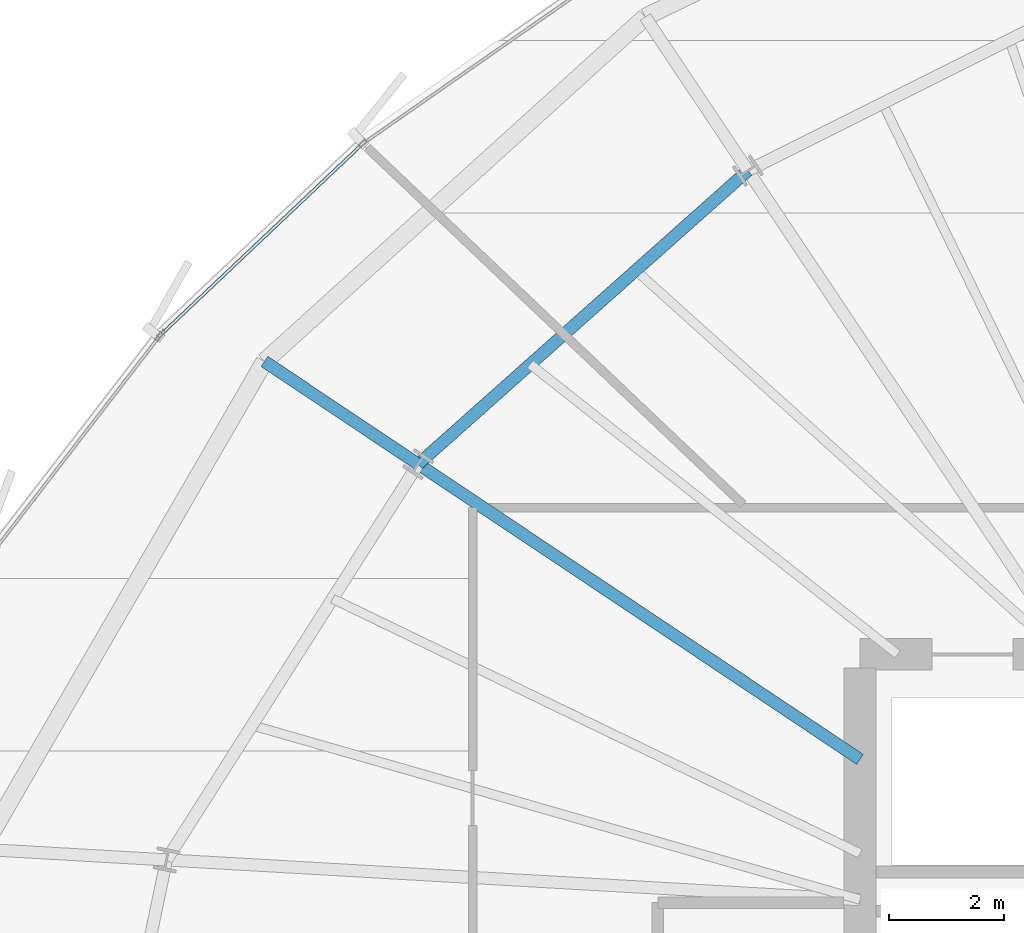
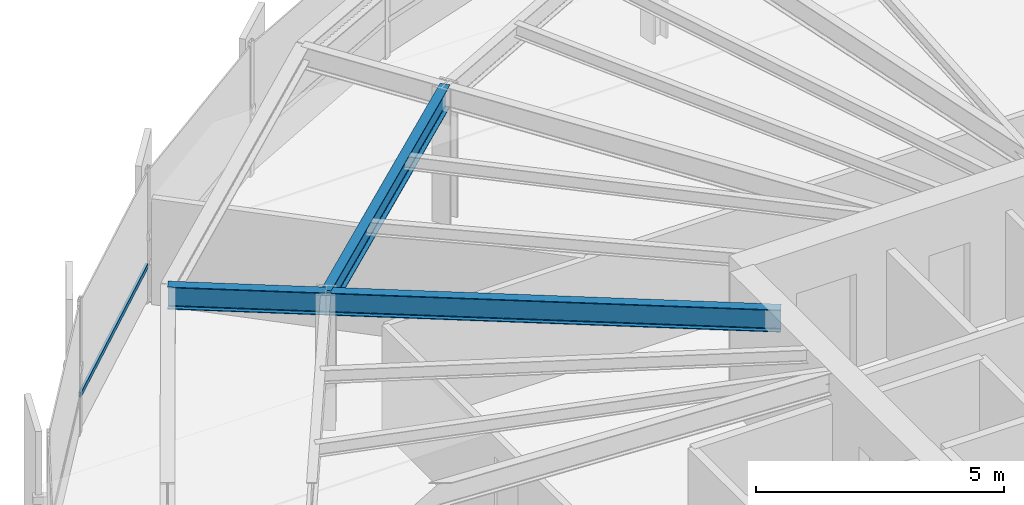
# One storey, part 18 of 34: 3 beams, 1 member, 1 element without a shape of its own.
"""IFC4 building model written with IfcOpenShell, lengths in metres."""

from ifc_helpers import new_model, si_unit, direction, frame, origin, origin_2d, place, context, subcontext, project, spatial, hollow_rectangle, i_section, extrude, source, transform, mapped, material, layer, layer_set, material_profile, profile_set, type_object, element, aggregate, save


model = new_model("IFC4")

# Units and contexts
model_context = context("Model", 3, precision=1e-05, world=origin(), true_north=direction((0.0, 1.0)))
body_context = subcontext(model_context, "Body", "Model", "MODEL_VIEW")
ifc_project = project(units=[si_unit("LENGTHUNIT", "METRE"), si_unit("AREAUNIT", "SQUARE_METRE"), si_unit("VOLUMEUNIT", "CUBIC_METRE"), si_unit("PLANEANGLEUNIT", "RADIAN"), si_unit("MASSUNIT", "GRAM", prefix="KILO"), si_unit("THERMODYNAMICTEMPERATUREUNIT", "KELVIN")], contexts=[model_context])

# Site, building, storey
site_placement = place(None, origin())
site = spatial("IfcSite", under=ifc_project, at=site_placement, CompositionType="ELEMENT")
building_placement = place(site_placement, origin())
building = spatial("IfcBuilding", under=site, at=building_placement, Name="Kethvar Cultural Tower", CompositionType="ELEMENT")
storey_placement = place(building_placement, frame((0.0, 0.0, 125.199951171875)))
storey = spatial("IfcBuildingStorey", under=building, at=storey_placement, Name="L31", CompositionType="ELEMENT", Elevation=125.199951171875)

# Beams
ifc_material_1 = material(Name="Steel S355J2", Category="steel")
ifc_material_profile_1 = material_profile(ifc_material_1, i_section(OverallWidth=0.2099609375, OverallDepth=0.550048828125, WebThickness=0.010986328125, FlangeThickness=0.01708984375, FilletRadius=0.02392578125, at=origin_2d()), Name="Steel S355J2 — IPE550")
ifc_profile_set_1 = profile_set([ifc_material_profile_1], Name="Steel S355J2 — IPE550")
beam_type = type_object("IfcBeamType", Name="BM-IPE550", PredefinedType="BEAM", material=ifc_profile_set_1)
shared_shape_1 = source(origin(), body_context, "Body", "SweptSolid", [
    extrude(i_section(OverallWidth=0.2099609375, OverallDepth=0.550048828125, WebThickness=0.010986328125, FlangeThickness=0.01708984375, FilletRadius=0.02392578125, at=origin_2d()), origin(), (0.0, 0.0, 1.0), 3.199951171875),
])
beam_1_placement = place(storey_placement, frame((30.345947265625, 38.794189453125, 3.072998046875), z_axis=(-0.831462943996, 0.555580212716, 0.0), x_axis=(-0.555580212716, -0.831462943996, 0.0)))
element("IfcBeam", 1, at=beam_1_placement, inside=storey, type_object=beam_type, Name="L31 Perimeter Cantilever Beam RC-07", PredefinedType="BEAM", context=body_context, shape_type="MappedRepresentation", body=[
    mapped(shared_shape_1, transform((0.0, 0.0, 0.0), scale=1.0)),
])
shared_shape_2 = source(origin(), body_context, "Body", "SweptSolid", [
    extrude(i_section(OverallWidth=0.2099609375, OverallDepth=0.550048828125, WebThickness=0.010986328125, FlangeThickness=0.01708984375, FilletRadius=0.02392578125, at=origin_2d()), origin(), (0.0, 0.0, 1.0), 9.205322265625),
])
beam_2_placement = place(storey_placement, frame((38.0, 33.679931640625, 3.072998046875), z_axis=(-0.831470451236, 0.555568977465, 0.0), x_axis=(-0.555568977465, -0.831470451236, 0.0)))
element("IfcBeam", 2, at=beam_2_placement, inside=storey, type_object=beam_type, Name="L31 Primary Radial Beam RB-07", PredefinedType="BEAM", context=body_context, shape_type="MappedRepresentation", body=[
    mapped(shared_shape_2, transform((0.0, 0.0, 0.0), scale=1.0)),
])
shared_shape_3 = source(origin(), body_context, "Body", "SweptSolid", [
    extrude(i_section(OverallWidth=0.2099609375, OverallDepth=0.550048828125, WebThickness=0.010986328125, FlangeThickness=0.01708984375, FilletRadius=0.02392578125, at=origin_2d()), origin(), (0.0, 0.0, 1.0), 7.64599609375),
])
beam_3_placement = place(storey_placement, frame((36.0576171875, 43.877197265625, 3.072998046875), z_axis=(-0.747021617367, -0.66479974668, 0.0), x_axis=(0.66479974668, -0.747021617367, 0.0)))
element("IfcBeam", 3, at=beam_3_placement, inside=storey, type_object=beam_type, Name="L31 Column Ring Tie Beam CR-06", PredefinedType="BEAM", context=body_context, shape_type="MappedRepresentation", body=[
    mapped(shared_shape_3, transform((0.0, 0.0, 0.0), scale=1.0)),
])

# Curtain wall, member
ifc_material_2 = material(Name="Aluminium 6063-T6", Category="aluminium")
ifc_layer = layer(ifc_material_2, 0.179931640625, Name="Aluminium 6063-T6", Category="aluminium")
ifc_layer_set = layer_set([ifc_layer], Name="Aluminium 6063-T6 (180 mm)")
curtain_wall_type = type_object("IfcCurtainWallType", Name="CW-SYS-03-Z2", PredefinedType="NOTDEFINED", material=ifc_layer_set)
curtain_wall_placement = place(storey_placement, origin())
curtain_wall = element("IfcCurtainWall", 4, at=curtain_wall_placement, inside=storey, type_object=curtain_wall_type, Name="L31 Curtain Wall Run 02", PredefinedType="NOTDEFINED")
ifc_material_profile_2 = material_profile(ifc_material_2, hollow_rectangle(XDim=0.054931640625, YDim=0.1201171875, WallThickness=0.00390625, at=origin_2d()), Name="Aluminium 6063-T6 — RHS120x55x4")
ifc_profile_set_2 = profile_set([ifc_material_profile_2], Name="Aluminium 6063-T6 — RHS120x55x4")
member_type = type_object("IfcMemberType", Name="CW-SYS-03-Z2-TRN", PredefinedType="USERDEFINED", material=ifc_profile_set_2)
shared_shape_4 = source(origin(), body_context, "Body", "SweptSolid", [
    extrude(hollow_rectangle(XDim=0.054931640625, YDim=0.1201171875, WallThickness=0.00390625, at=origin_2d()), origin(), (0.0, 0.0, 1.0), 4.75634765625),
])
member_placement = place(storey_placement, frame((29.35888671875, 44.3173828125, 0.949951171875), z_axis=(-0.726367985632, -0.687306008594, 0.0), x_axis=(0.687306008594, -0.726367985632, 0.0)))
member = element("IfcMember", 5, at=member_placement, type_object=member_type, Name="CW-L31-R02 Transom 6", ObjectType="TRANSOM", PredefinedType="USERDEFINED", context=body_context, shape_type="MappedRepresentation", body=[
    mapped(shared_shape_4, transform((0.0, 0.0, 0.0), scale=1.0)),
])
aggregate(curtain_wall, [member])

save(model, "model.ifc")
